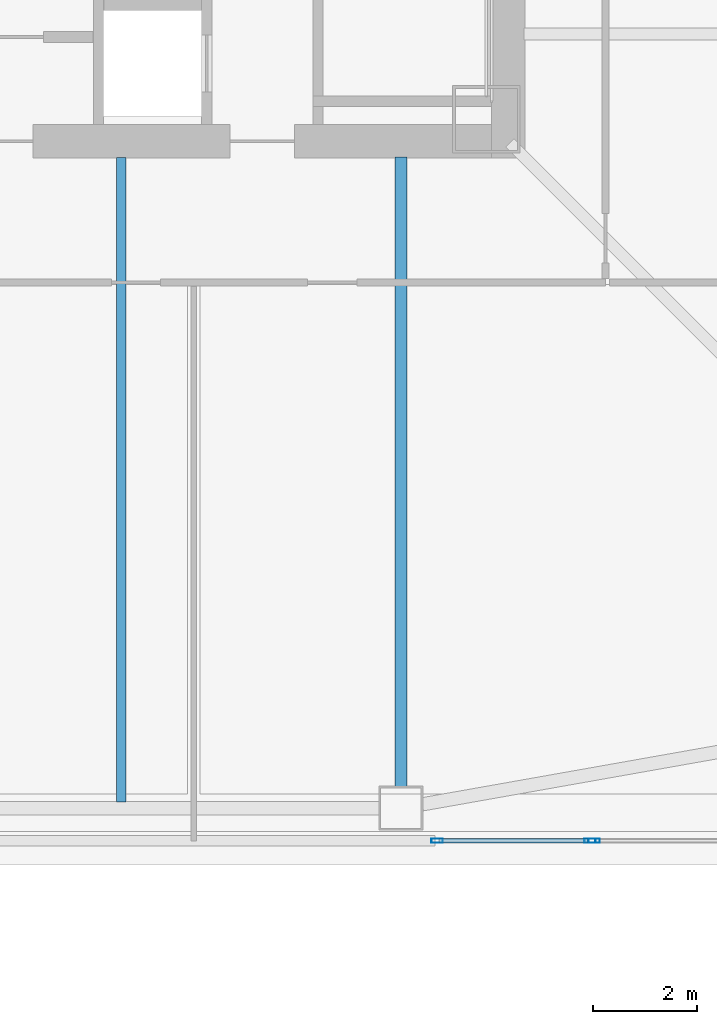
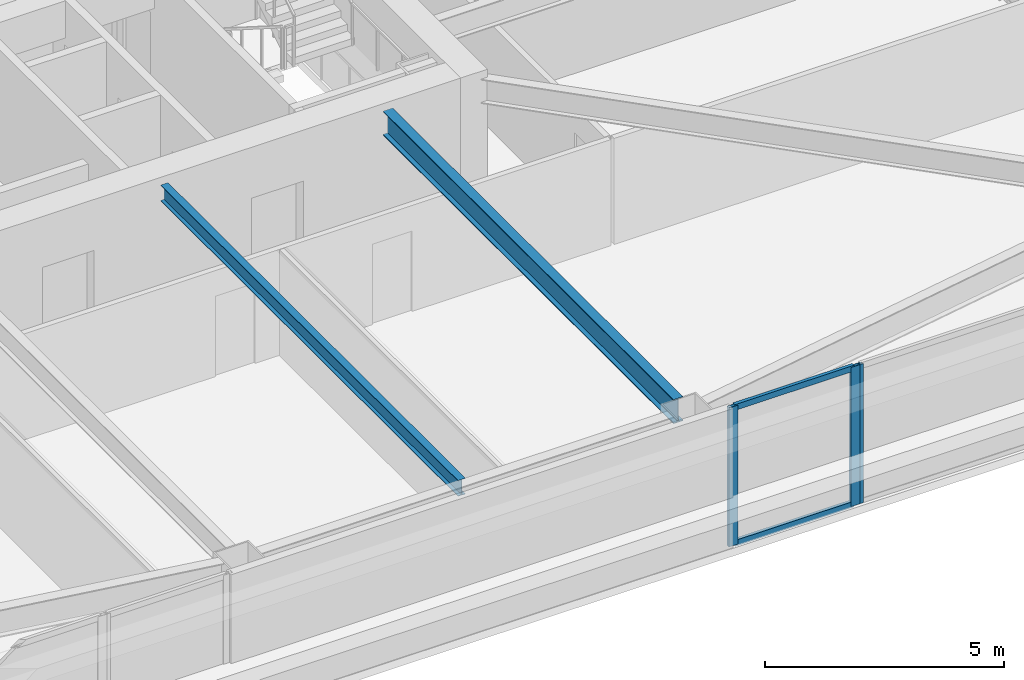
# One storey, part 5 of 44: 5 members, 2 beams, 2 elements without a shape of their own.
"""IFC4 building model written with IfcOpenShell, lengths in metres."""

from ifc_helpers import new_model, si_unit, direction, frame, origin, origin_2d, place, context, subcontext, project, spatial, hollow_rectangle, i_section, extrude, material, material_profile, profile_set, type_object, element, aggregate, save


model = new_model("IFC4")

# Units and contexts
model_context = context("Model", 3, precision=1e-05, world=origin(), true_north=direction((0.0, 1.0)))
body_context = subcontext(model_context, "Body", "Model", "MODEL_VIEW")
ifc_project = project(units=[si_unit("LENGTHUNIT", "METRE"), si_unit("AREAUNIT", "SQUARE_METRE"), si_unit("VOLUMEUNIT", "CUBIC_METRE"), si_unit("PLANEANGLEUNIT", "RADIAN"), si_unit("MASSUNIT", "GRAM", prefix="KILO")], contexts=[model_context])

# Site, building, storey
site_placement = place(None, origin())
site = spatial("IfcSite", under=ifc_project, at=site_placement, CompositionType="ELEMENT")
building_placement = place(site_placement, origin())
building = spatial("IfcBuilding", under=site, at=building_placement, Name="Tashvorn Skyway Center", CompositionType="ELEMENT")
storey_placement = place(building_placement, frame((0.0, 0.0, 102.699951171875)))
storey = spatial("IfcBuildingStorey", under=building, at=storey_placement, Name="L27", CompositionType="ELEMENT", Elevation=102.699951171875)

# Beams
ifc_material_1 = material(Name="Steel ASTM A992 Grade 50", Category="steel")
ifc_material_profile_1 = material_profile(ifc_material_1, i_section(OverallWidth=0.22998046875, OverallDepth=0.616943359375, WebThickness=0.01318359375, FlangeThickness=0.022216796875, at=origin_2d()), Name="W24X94")
ifc_profile_set_1 = profile_set([ifc_material_profile_1], Name="Steel ASTM A992 Grade 50")
beam_type_1 = type_object("IfcBeamType", Name="BM-BEAM-W24X94", PredefinedType="BEAM", material=ifc_profile_set_1)
beam_1_placement = place(storey_placement, frame((47.39990234375, 12.070068359375, 3.04150390625), z_axis=(0.0, 1.0, 0.0), x_axis=(-1.0, 0.0, 0.0)))
element("IfcBeam", 1, at=beam_1_placement, inside=storey, type_object=beam_type_1, Name="Tower 1 L27 Primary Floor Girder FC-S2", PredefinedType="BEAM", context=body_context, shape_type="SweptSolid", body=[
    extrude(i_section(OverallWidth=0.22998046875, OverallDepth=0.616943359375, WebThickness=0.01318359375, FlangeThickness=0.022216796875, at=origin_2d()), origin(), (0.0, 0.0, 1.0), 12.14990234375),
])
ifc_material_profile_2 = material_profile(ifc_material_1, i_section(OverallWidth=0.177978515625, OverallDepth=0.406005859375, WebThickness=0.0078125, FlangeThickness=0.0126953125, at=origin_2d()), Name="W16X40")
ifc_profile_set_2 = profile_set([ifc_material_profile_2], Name="Steel ASTM A992 Grade 50")
beam_type_2 = type_object("IfcBeamType", Name="BM-JOIST-W16X40", PredefinedType="JOIST", material=ifc_profile_set_2)
beam_2_placement = place(storey_placement, frame((42.0, 24.2099609375, 3.14697265625), z_axis=(0.0, -1.0, 0.0), x_axis=(1.0, 0.0, 0.0)))
element("IfcBeam", 2, at=beam_2_placement, inside=storey, type_object=beam_type_2, Name="Tower 1 L27 Secondary Composite Joist JS", PredefinedType="JOIST", context=body_context, shape_type="SweptSolid", body=[
    extrude(i_section(OverallWidth=0.177978515625, OverallDepth=0.406005859375, WebThickness=0.0078125, FlangeThickness=0.0126953125, at=origin_2d()), origin(), (0.0, 0.0, 1.0), 12.43994140625),
])

# Curtain wall, member
ifc_material_2 = material(Name="Thermally broken bronze-anodized aluminium 6063-T6", Category="aluminium")
curtain_wall_type = type_object("IfcCurtainWallType", Name="CW-CW-Z2", PredefinedType="NOTDEFINED", material=ifc_material_2)
curtain_wall_1_placement = place(storey_placement, origin())
curtain_wall_1 = element("IfcCurtainWall", 3, at=curtain_wall_1_placement, inside=storey, type_object=curtain_wall_type, Name="Tower 1 L27 South Unitised Curtain Wall Glazing Group 1", PredefinedType="NOTDEFINED")
ifc_material_profile_3 = material_profile(ifc_material_2, hollow_rectangle(XDim=0.080078125, YDim=0.219970703125, WallThickness=0.0048828125, at=origin_2d()), Name="ALU-MULL-80x220")
ifc_profile_set_3 = profile_set([ifc_material_profile_3], Name="Thermally broken bronze-anodized aluminium 6063-T6")
member_type_1 = type_object("IfcMemberType", Name="CWM-CW-Z2", PredefinedType="MULLION", material=ifc_profile_set_3)
member_1_placement = place(storey_placement, frame((51.1298828125, 11.02001953125, 0.0), z_axis=(0.0, 0.0, 1.0), x_axis=(0.0, -1.0, 0.0)))
member_1 = element("IfcMember", 4, at=member_1_placement, type_object=member_type_1, Name="CW-Z2 mullion 2", PredefinedType="MULLION", context=body_context, shape_type="SweptSolid", body=[
    extrude(hollow_rectangle(XDim=0.080078125, YDim=0.219970703125, WallThickness=0.0048828125, at=origin_2d()), origin(), (0.0, 0.0, 1.0), 3.550048828125),
])
aggregate(curtain_wall_1, [member_1])

# Curtain wall, members
curtain_wall_2_placement = place(storey_placement, origin())
curtain_wall_2 = element("IfcCurtainWall", 5, at=curtain_wall_2_placement, inside=storey, type_object=curtain_wall_type, Name="Tower 1 L27 South Unitised Curtain Wall Glazing Group 2", PredefinedType="NOTDEFINED")
member_2_placement = place(storey_placement, frame((51.050048828125, 11.02001953125, 0.0), z_axis=(0.0, 0.0, 1.0), x_axis=(0.0, -1.0, 0.0)))
member_2 = element("IfcMember", 6, at=member_2_placement, type_object=member_type_1, Name="CW-Z2 mullion 1", PredefinedType="MULLION", context=body_context, shape_type="SweptSolid", body=[
    extrude(hollow_rectangle(XDim=0.080078125, YDim=0.219970703125, WallThickness=0.0048828125, at=origin_2d()), origin(), (0.0, 0.0, 1.0), 3.550048828125),
])
member_3_placement = place(storey_placement, frame((48.10009765625, 11.02001953125, 0.0), z_axis=(0.0, 0.0, 1.0), x_axis=(0.0, -1.0, 0.0)))
member_3 = element("IfcMember", 7, at=member_3_placement, type_object=member_type_1, Name="CW-Z2 mullion 2", PredefinedType="MULLION", context=body_context, shape_type="SweptSolid", body=[
    extrude(hollow_rectangle(XDim=0.080078125, YDim=0.219970703125, WallThickness=0.0048828125, at=origin_2d()), origin(), (0.0, 0.0, 1.0), 3.550048828125),
])
ifc_material_profile_4 = material_profile(ifc_material_2, hollow_rectangle(XDim=0.080078125, YDim=0.14990234375, WallThickness=0.00439453125, at=origin_2d()), Name="ALU-TRAN-80x150")
ifc_profile_set_4 = profile_set([ifc_material_profile_4], Name="Thermally broken bronze-anodized aluminium 6063-T6")
member_type_2 = type_object("IfcMemberType", Name="CWT-CW-Z2", PredefinedType="USERDEFINED", material=ifc_profile_set_4)
member_4_placement = place(storey_placement, frame((51.010009765625, 11.02001953125, 0.0400390625), z_axis=(-1.0, 0.0, 0.0), x_axis=(0.0, -1.0, 0.0)))
member_4 = element("IfcMember", 8, at=member_4_placement, type_object=member_type_2, Name="CW-Z2 transom 1.1", ObjectType="TRANSOM", PredefinedType="USERDEFINED", context=body_context, shape_type="SweptSolid", body=[
    extrude(hollow_rectangle(XDim=0.080078125, YDim=0.14990234375, WallThickness=0.00439453125, at=origin_2d()), origin(), (0.0, 0.0, 1.0), 2.8701171875),
])
member_5_placement = place(storey_placement, frame((51.010009765625, 11.02001953125, 3.510009765625), z_axis=(-1.0, 0.0, 0.0), x_axis=(0.0, -1.0, 0.0)))
member_5 = element("IfcMember", 9, at=member_5_placement, type_object=member_type_2, Name="CW-Z2 transom 1.2", ObjectType="TRANSOM", PredefinedType="USERDEFINED", context=body_context, shape_type="SweptSolid", body=[
    extrude(hollow_rectangle(XDim=0.080078125, YDim=0.14990234375, WallThickness=0.00439453125, at=origin_2d()), origin(), (0.0, 0.0, 1.0), 2.8701171875),
])
aggregate(curtain_wall_2, [member_2, member_3, member_4, member_5])

save(model, "model.ifc")
